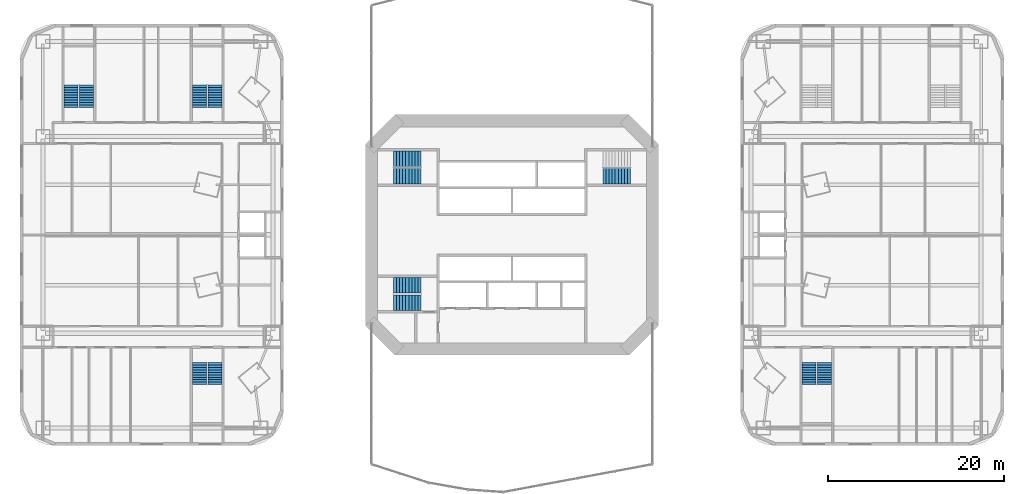
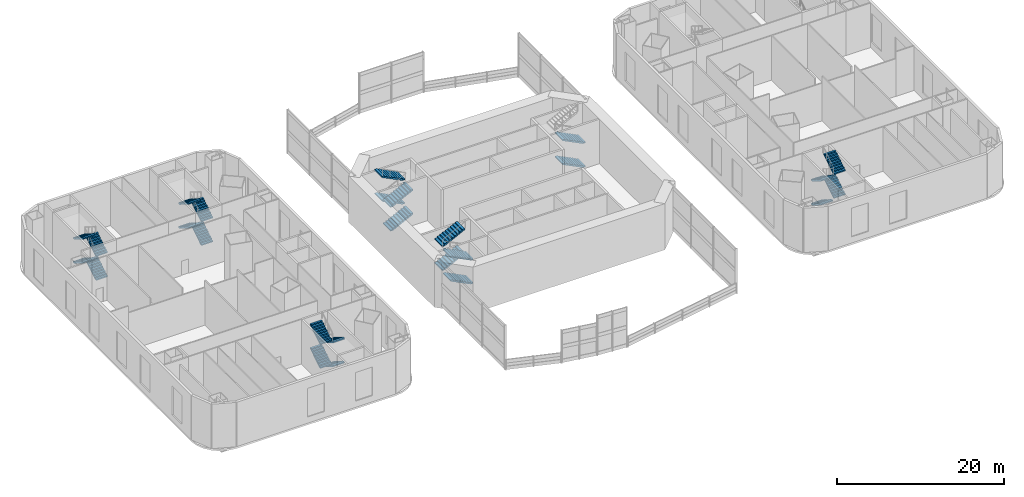
# One storey, part 16 of 19: 26 stair flights, 7 elements without a shape of their own.
"""IFC4 building model written with IfcOpenShell, lengths in metres."""

from ifc_helpers import new_model, si_unit, direction, frame, origin, place, context, subcontext, project, spatial, polyline, outline, extrude, material, type_object, element, aggregate, save


model = new_model("IFC4")

# Units and contexts
model_context = context("Model", 3, precision=1e-05, world=origin(), true_north=direction((0.0, 1.0)))
body_context = subcontext(model_context, "Body", "Model", "MODEL_VIEW")
ifc_project = project(units=[si_unit("LENGTHUNIT", "METRE"), si_unit("AREAUNIT", "SQUARE_METRE"), si_unit("VOLUMEUNIT", "CUBIC_METRE"), si_unit("PLANEANGLEUNIT", "RADIAN"), si_unit("MASSUNIT", "GRAM", prefix="KILO")], contexts=[model_context])

# Site, building, storey
site_placement = place(None, origin())
site = spatial("IfcSite", under=ifc_project, at=site_placement, CompositionType="ELEMENT")
building_placement = place(site_placement, origin())
building = spatial("IfcBuilding", under=site, at=building_placement, Name="Marenthal Gate Tower", CompositionType="ELEMENT")
storey_placement = place(building_placement, frame((0.0, 0.0, 19.0)))
storey = spatial("IfcBuildingStorey", under=building, at=storey_placement, Name="L02", CompositionType="ELEMENT", Elevation=19.0)

# Stair, stair flights
ifc_material_1 = material(Name="Concrete 40 MPa", Category="concrete")
stair_type_1 = type_object("IfcStairType", Name="Exit stair 1600", PredefinedType="HALF_TURN_STAIR", material=ifc_material_1)
stair_1_placement = place(storey_placement, origin())
stair_1 = element("IfcStair", 1, at=stair_1_placement, inside=storey, type_object=stair_type_1, Name="Stair E2", PredefinedType="HALF_TURN_STAIR")
ifc_material_2 = material(Name="Concrete 40 MPa", Category="concrete")
stair_flight_type_1 = type_object("IfcStairFlightType", Name="Stair flight 1600", PredefinedType="STRAIGHT", material=ifc_material_2)
stair_flight_1_placement = place(storey_placement, frame((33.824951171875, -14.52490234375, 0.0), z_axis=(0.0, 0.0, 1.0), x_axis=(0.0, -1.0, 0.0)))
stair_flight_1 = element("IfcStairFlight", 2, at=stair_flight_1_placement, type_object=stair_flight_type_1, Name="E2 flight 1", NumberOfRisers=10, NumberOfTreads=9, PredefinedType="STRAIGHT", RiserHeight=0.175, TreadLength=0.28, context=body_context, shape_type="SweptSolid", body=[
    extrude(outline(polyline([(0.0, 0.0), (0.0, 0.175048828125), (0.280029296875, 0.175048828125), (0.280029296875, 0.35009765625), (0.56005859375, 0.35009765625), (0.56005859375, 0.52490234375), (0.840087890625, 0.52490234375), (0.840087890625, 0.699951171875), (1.1201171875, 0.699951171875), (1.1201171875, 0.875), (1.39990234375, 0.875), (1.39990234375, 1.050048828125), (1.679931640625, 1.050048828125), (1.679931640625, 1.22509765625), (1.9599609375, 1.22509765625), (1.9599609375, 1.39990234375), (2.239990234375, 1.39990234375), (2.239990234375, 1.574951171875), (2.52001953125, 1.574951171875), (2.52001953125, 1.75), (2.52001953125, 1.398193359375), (0.28271484375, 0.0), (0.0, 0.0)])), frame((0.0, 0.800048828125, 0.0), z_axis=(0.0, -1.0, 0.0), x_axis=(1.0, 0.0, 0.0)), (0.0, 0.0, 1.0), 1.60009765625),
])
stair_flight_2_placement = place(storey_placement, frame((35.574951171875, -17.044921875, 1.75), z_axis=(0.0, 0.0, 1.0), x_axis=(0.0, 1.0, 0.0)))
stair_flight_2 = element("IfcStairFlight", 3, at=stair_flight_2_placement, type_object=stair_flight_type_1, Name="E2 flight 2", NumberOfRisers=10, NumberOfTreads=9, PredefinedType="STRAIGHT", RiserHeight=0.175, TreadLength=0.28, context=body_context, shape_type="SweptSolid", body=[
    extrude(outline(polyline([(0.0, 0.0), (0.0, 0.175048828125), (0.280029296875, 0.175048828125), (0.280029296875, 0.35009765625), (0.56005859375, 0.35009765625), (0.56005859375, 0.52490234375), (0.840087890625, 0.52490234375), (0.840087890625, 0.699951171875), (1.1201171875, 0.699951171875), (1.1201171875, 0.875), (1.39990234375, 0.875), (1.39990234375, 1.050048828125), (1.679931640625, 1.050048828125), (1.679931640625, 1.22509765625), (1.9599609375, 1.22509765625), (1.9599609375, 1.39990234375), (2.239990234375, 1.39990234375), (2.239990234375, 1.574951171875), (2.52001953125, 1.574951171875), (2.52001953125, 1.75), (2.52001953125, 1.398193359375), (0.28271484375, 0.0), (0.0, 0.0)])), frame((0.0, 0.800048828125, 0.0), z_axis=(0.0, -1.0, 0.0), x_axis=(1.0, 0.0, 0.0)), (0.0, 0.0, 1.0), 1.60009765625),
])
stair_flight_3_placement = place(storey_placement, frame((33.824951171875, -14.52490234375, 3.5), z_axis=(0.0, 0.0, 1.0), x_axis=(0.0, -1.0, 0.0)))
stair_flight_3 = element("IfcStairFlight", 4, at=stair_flight_3_placement, type_object=stair_flight_type_1, Name="E2 flight 3", NumberOfRisers=10, NumberOfTreads=9, PredefinedType="STRAIGHT", RiserHeight=0.175, TreadLength=0.28, context=body_context, shape_type="SweptSolid", body=[
    extrude(outline(polyline([(0.0, 0.0), (0.0, 0.175048828125), (0.280029296875, 0.175048828125), (0.280029296875, 0.35009765625), (0.56005859375, 0.35009765625), (0.56005859375, 0.52490234375), (0.840087890625, 0.52490234375), (0.840087890625, 0.699951171875), (1.1201171875, 0.699951171875), (1.1201171875, 0.875), (1.39990234375, 0.875), (1.39990234375, 1.050048828125), (1.679931640625, 1.050048828125), (1.679931640625, 1.22509765625), (1.9599609375, 1.22509765625), (1.9599609375, 1.39990234375), (2.239990234375, 1.39990234375), (2.239990234375, 1.574951171875), (2.52001953125, 1.574951171875), (2.52001953125, 1.75), (2.52001953125, 1.398193359375), (0.28271484375, 0.0), (0.0, 0.0)])), frame((0.0, 0.800048828125, 0.0), z_axis=(0.0, -1.0, 0.0), x_axis=(1.0, 0.0, 0.0)), (0.0, 0.0, 1.0), 1.60009765625),
])
stair_flight_4_placement = place(storey_placement, frame((35.574951171875, -17.044921875, 5.25), z_axis=(0.0, 0.0, 1.0), x_axis=(0.0, 1.0, 0.0)))
stair_flight_4 = element("IfcStairFlight", 5, at=stair_flight_4_placement, type_object=stair_flight_type_1, Name="E2 flight 4", NumberOfRisers=10, NumberOfTreads=9, PredefinedType="STRAIGHT", RiserHeight=0.175, TreadLength=0.28, context=body_context, shape_type="SweptSolid", body=[
    extrude(outline(polyline([(0.0, 0.0), (0.0, 0.175048828125), (0.280029296875, 0.175048828125), (0.280029296875, 0.35009765625), (0.56005859375, 0.35009765625), (0.56005859375, 0.52490234375), (0.840087890625, 0.52490234375), (0.840087890625, 0.699951171875), (1.1201171875, 0.699951171875), (1.1201171875, 0.875), (1.39990234375, 0.875), (1.39990234375, 1.050048828125), (1.679931640625, 1.050048828125), (1.679931640625, 1.22509765625), (1.9599609375, 1.22509765625), (1.9599609375, 1.39990234375), (2.239990234375, 1.39990234375), (2.239990234375, 1.574951171875), (2.52001953125, 1.574951171875), (2.52001953125, 1.75), (2.52001953125, 1.398193359375), (0.28271484375, 0.0), (0.0, 0.0)])), frame((0.0, 0.800048828125, 0.0), z_axis=(0.0, -1.0, 0.0), x_axis=(1.0, 0.0, 0.0)), (0.0, 0.0, 1.0), 1.60009765625),
])
aggregate(stair_1, [stair_flight_1, stair_flight_2, stair_flight_3, stair_flight_4])

stair_2_placement = place(storey_placement, origin())
stair_2 = element("IfcStair", 6, at=stair_2_placement, inside=storey, type_object=stair_type_1, Name="Stair W1", PredefinedType="HALF_TURN_STAIR")
stair_flight_5_placement = place(storey_placement, frame((-33.824951171875, 14.52490234375, 0.0), z_axis=(0.0, 0.0, 1.0), x_axis=(0.0, 1.0, 0.0)))
stair_flight_5 = element("IfcStairFlight", 7, at=stair_flight_5_placement, type_object=stair_flight_type_1, Name="W1 flight 1", NumberOfRisers=10, NumberOfTreads=9, PredefinedType="STRAIGHT", RiserHeight=0.175, TreadLength=0.28, context=body_context, shape_type="SweptSolid", body=[
    extrude(outline(polyline([(0.0, 0.0), (0.0, 0.175048828125), (0.280029296875, 0.175048828125), (0.280029296875, 0.35009765625), (0.56005859375, 0.35009765625), (0.56005859375, 0.52490234375), (0.840087890625, 0.52490234375), (0.840087890625, 0.699951171875), (1.1201171875, 0.699951171875), (1.1201171875, 0.875), (1.39990234375, 0.875), (1.39990234375, 1.050048828125), (1.679931640625, 1.050048828125), (1.679931640625, 1.22509765625), (1.9599609375, 1.22509765625), (1.9599609375, 1.39990234375), (2.239990234375, 1.39990234375), (2.239990234375, 1.574951171875), (2.52001953125, 1.574951171875), (2.52001953125, 1.75), (2.52001953125, 1.398193359375), (0.28271484375, 0.0), (0.0, 0.0)])), frame((0.0, 0.800048828125, 0.0), z_axis=(0.0, -1.0, 0.0), x_axis=(1.0, 0.0, 0.0)), (0.0, 0.0, 1.0), 1.60009765625),
])
stair_flight_6_placement = place(storey_placement, frame((-35.574951171875, 17.044921875, 1.75), z_axis=(0.0, 0.0, 1.0), x_axis=(0.0, -1.0, 0.0)))
stair_flight_6 = element("IfcStairFlight", 8, at=stair_flight_6_placement, type_object=stair_flight_type_1, Name="W1 flight 2", NumberOfRisers=10, NumberOfTreads=9, PredefinedType="STRAIGHT", RiserHeight=0.175, TreadLength=0.28, context=body_context, shape_type="SweptSolid", body=[
    extrude(outline(polyline([(0.0, 0.0), (0.0, 0.175048828125), (0.280029296875, 0.175048828125), (0.280029296875, 0.35009765625), (0.56005859375, 0.35009765625), (0.56005859375, 0.52490234375), (0.840087890625, 0.52490234375), (0.840087890625, 0.699951171875), (1.1201171875, 0.699951171875), (1.1201171875, 0.875), (1.39990234375, 0.875), (1.39990234375, 1.050048828125), (1.679931640625, 1.050048828125), (1.679931640625, 1.22509765625), (1.9599609375, 1.22509765625), (1.9599609375, 1.39990234375), (2.239990234375, 1.39990234375), (2.239990234375, 1.574951171875), (2.52001953125, 1.574951171875), (2.52001953125, 1.75), (2.52001953125, 1.398193359375), (0.28271484375, 0.0), (0.0, 0.0)])), frame((0.0, 0.800048828125, 0.0), z_axis=(0.0, -1.0, 0.0), x_axis=(1.0, 0.0, 0.0)), (0.0, 0.0, 1.0), 1.60009765625),
])
stair_flight_7_placement = place(storey_placement, frame((-33.824951171875, 14.52490234375, 3.5), z_axis=(0.0, 0.0, 1.0), x_axis=(0.0, 1.0, 0.0)))
stair_flight_7 = element("IfcStairFlight", 9, at=stair_flight_7_placement, type_object=stair_flight_type_1, Name="W1 flight 3", NumberOfRisers=10, NumberOfTreads=9, PredefinedType="STRAIGHT", RiserHeight=0.175, TreadLength=0.28, context=body_context, shape_type="SweptSolid", body=[
    extrude(outline(polyline([(0.0, 0.0), (0.0, 0.175048828125), (0.280029296875, 0.175048828125), (0.280029296875, 0.35009765625), (0.56005859375, 0.35009765625), (0.56005859375, 0.52490234375), (0.840087890625, 0.52490234375), (0.840087890625, 0.699951171875), (1.1201171875, 0.699951171875), (1.1201171875, 0.875), (1.39990234375, 0.875), (1.39990234375, 1.050048828125), (1.679931640625, 1.050048828125), (1.679931640625, 1.22509765625), (1.9599609375, 1.22509765625), (1.9599609375, 1.39990234375), (2.239990234375, 1.39990234375), (2.239990234375, 1.574951171875), (2.52001953125, 1.574951171875), (2.52001953125, 1.75), (2.52001953125, 1.398193359375), (0.28271484375, 0.0), (0.0, 0.0)])), frame((0.0, 0.800048828125, 0.0), z_axis=(0.0, -1.0, 0.0), x_axis=(1.0, 0.0, 0.0)), (0.0, 0.0, 1.0), 1.60009765625),
])
stair_flight_8_placement = place(storey_placement, frame((-35.574951171875, 17.044921875, 5.25), z_axis=(0.0, 0.0, 1.0), x_axis=(0.0, -1.0, 0.0)))
stair_flight_8 = element("IfcStairFlight", 10, at=stair_flight_8_placement, type_object=stair_flight_type_1, Name="W1 flight 4", NumberOfRisers=10, NumberOfTreads=9, PredefinedType="STRAIGHT", RiserHeight=0.175, TreadLength=0.28, context=body_context, shape_type="SweptSolid", body=[
    extrude(outline(polyline([(0.0, 0.0), (0.0, 0.175048828125), (0.280029296875, 0.175048828125), (0.280029296875, 0.35009765625), (0.56005859375, 0.35009765625), (0.56005859375, 0.52490234375), (0.840087890625, 0.52490234375), (0.840087890625, 0.699951171875), (1.1201171875, 0.699951171875), (1.1201171875, 0.875), (1.39990234375, 0.875), (1.39990234375, 1.050048828125), (1.679931640625, 1.050048828125), (1.679931640625, 1.22509765625), (1.9599609375, 1.22509765625), (1.9599609375, 1.39990234375), (2.239990234375, 1.39990234375), (2.239990234375, 1.574951171875), (2.52001953125, 1.574951171875), (2.52001953125, 1.75), (2.52001953125, 1.398193359375), (0.28271484375, 0.0), (0.0, 0.0)])), frame((0.0, 0.800048828125, 0.0), z_axis=(0.0, -1.0, 0.0), x_axis=(1.0, 0.0, 0.0)), (0.0, 0.0, 1.0), 1.60009765625),
])
aggregate(stair_2, [stair_flight_5, stair_flight_6, stair_flight_7, stair_flight_8])

stair_3_placement = place(storey_placement, origin())
stair_3 = element("IfcStair", 11, at=stair_3_placement, inside=storey, type_object=stair_type_1, Name="Stair W2", PredefinedType="HALF_TURN_STAIR")
stair_flight_9_placement = place(storey_placement, frame((-33.824951171875, -14.52490234375, 0.0), z_axis=(0.0, 0.0, 1.0), x_axis=(0.0, -1.0, 0.0)))
stair_flight_9 = element("IfcStairFlight", 12, at=stair_flight_9_placement, type_object=stair_flight_type_1, Name="W2 flight 1", NumberOfRisers=10, NumberOfTreads=9, PredefinedType="STRAIGHT", RiserHeight=0.175, TreadLength=0.28, context=body_context, shape_type="SweptSolid", body=[
    extrude(outline(polyline([(0.0, 0.0), (0.0, 0.175048828125), (0.280029296875, 0.175048828125), (0.280029296875, 0.35009765625), (0.56005859375, 0.35009765625), (0.56005859375, 0.52490234375), (0.840087890625, 0.52490234375), (0.840087890625, 0.699951171875), (1.1201171875, 0.699951171875), (1.1201171875, 0.875), (1.39990234375, 0.875), (1.39990234375, 1.050048828125), (1.679931640625, 1.050048828125), (1.679931640625, 1.22509765625), (1.9599609375, 1.22509765625), (1.9599609375, 1.39990234375), (2.239990234375, 1.39990234375), (2.239990234375, 1.574951171875), (2.52001953125, 1.574951171875), (2.52001953125, 1.75), (2.52001953125, 1.398193359375), (0.28271484375, 0.0), (0.0, 0.0)])), frame((0.0, 0.800048828125, 0.0), z_axis=(0.0, -1.0, 0.0), x_axis=(1.0, 0.0, 0.0)), (0.0, 0.0, 1.0), 1.60009765625),
])
stair_flight_10_placement = place(storey_placement, frame((-35.574951171875, -17.044921875, 1.75), z_axis=(0.0, 0.0, 1.0), x_axis=(0.0, 1.0, 0.0)))
stair_flight_10 = element("IfcStairFlight", 13, at=stair_flight_10_placement, type_object=stair_flight_type_1, Name="W2 flight 2", NumberOfRisers=10, NumberOfTreads=9, PredefinedType="STRAIGHT", RiserHeight=0.175, TreadLength=0.28, context=body_context, shape_type="SweptSolid", body=[
    extrude(outline(polyline([(0.0, 0.0), (0.0, 0.175048828125), (0.280029296875, 0.175048828125), (0.280029296875, 0.35009765625), (0.56005859375, 0.35009765625), (0.56005859375, 0.52490234375), (0.840087890625, 0.52490234375), (0.840087890625, 0.699951171875), (1.1201171875, 0.699951171875), (1.1201171875, 0.875), (1.39990234375, 0.875), (1.39990234375, 1.050048828125), (1.679931640625, 1.050048828125), (1.679931640625, 1.22509765625), (1.9599609375, 1.22509765625), (1.9599609375, 1.39990234375), (2.239990234375, 1.39990234375), (2.239990234375, 1.574951171875), (2.52001953125, 1.574951171875), (2.52001953125, 1.75), (2.52001953125, 1.398193359375), (0.28271484375, 0.0), (0.0, 0.0)])), frame((0.0, 0.800048828125, 0.0), z_axis=(0.0, -1.0, 0.0), x_axis=(1.0, 0.0, 0.0)), (0.0, 0.0, 1.0), 1.60009765625),
])
stair_flight_11_placement = place(storey_placement, frame((-33.824951171875, -14.52490234375, 3.5), z_axis=(0.0, 0.0, 1.0), x_axis=(0.0, -1.0, 0.0)))
stair_flight_11 = element("IfcStairFlight", 14, at=stair_flight_11_placement, type_object=stair_flight_type_1, Name="W2 flight 3", NumberOfRisers=10, NumberOfTreads=9, PredefinedType="STRAIGHT", RiserHeight=0.175, TreadLength=0.28, context=body_context, shape_type="SweptSolid", body=[
    extrude(outline(polyline([(0.0, 0.0), (0.0, 0.175048828125), (0.280029296875, 0.175048828125), (0.280029296875, 0.35009765625), (0.56005859375, 0.35009765625), (0.56005859375, 0.52490234375), (0.840087890625, 0.52490234375), (0.840087890625, 0.699951171875), (1.1201171875, 0.699951171875), (1.1201171875, 0.875), (1.39990234375, 0.875), (1.39990234375, 1.050048828125), (1.679931640625, 1.050048828125), (1.679931640625, 1.22509765625), (1.9599609375, 1.22509765625), (1.9599609375, 1.39990234375), (2.239990234375, 1.39990234375), (2.239990234375, 1.574951171875), (2.52001953125, 1.574951171875), (2.52001953125, 1.75), (2.52001953125, 1.398193359375), (0.28271484375, 0.0), (0.0, 0.0)])), frame((0.0, 0.800048828125, 0.0), z_axis=(0.0, -1.0, 0.0), x_axis=(1.0, 0.0, 0.0)), (0.0, 0.0, 1.0), 1.60009765625),
])
stair_flight_12_placement = place(storey_placement, frame((-35.574951171875, -17.044921875, 5.25), z_axis=(0.0, 0.0, 1.0), x_axis=(0.0, 1.0, 0.0)))
stair_flight_12 = element("IfcStairFlight", 15, at=stair_flight_12_placement, type_object=stair_flight_type_1, Name="W2 flight 4", NumberOfRisers=10, NumberOfTreads=9, PredefinedType="STRAIGHT", RiserHeight=0.175, TreadLength=0.28, context=body_context, shape_type="SweptSolid", body=[
    extrude(outline(polyline([(0.0, 0.0), (0.0, 0.175048828125), (0.280029296875, 0.175048828125), (0.280029296875, 0.35009765625), (0.56005859375, 0.35009765625), (0.56005859375, 0.52490234375), (0.840087890625, 0.52490234375), (0.840087890625, 0.699951171875), (1.1201171875, 0.699951171875), (1.1201171875, 0.875), (1.39990234375, 0.875), (1.39990234375, 1.050048828125), (1.679931640625, 1.050048828125), (1.679931640625, 1.22509765625), (1.9599609375, 1.22509765625), (1.9599609375, 1.39990234375), (2.239990234375, 1.39990234375), (2.239990234375, 1.574951171875), (2.52001953125, 1.574951171875), (2.52001953125, 1.75), (2.52001953125, 1.398193359375), (0.28271484375, 0.0), (0.0, 0.0)])), frame((0.0, 0.800048828125, 0.0), z_axis=(0.0, -1.0, 0.0), x_axis=(1.0, 0.0, 0.0)), (0.0, 0.0, 1.0), 1.60009765625),
])
aggregate(stair_3, [stair_flight_9, stair_flight_10, stair_flight_11, stair_flight_12])

stair_4_placement = place(storey_placement, origin())
stair_4 = element("IfcStair", 16, at=stair_4_placement, inside=storey, type_object=stair_type_1, Name="Stair W3", PredefinedType="HALF_TURN_STAIR")
stair_flight_13_placement = place(storey_placement, frame((-48.425048828125, 14.52490234375, 0.0), z_axis=(0.0, 0.0, 1.0), x_axis=(0.0, 1.0, 0.0)))
stair_flight_13 = element("IfcStairFlight", 17, at=stair_flight_13_placement, type_object=stair_flight_type_1, Name="W3 flight 1", NumberOfRisers=10, NumberOfTreads=9, PredefinedType="STRAIGHT", RiserHeight=0.175, TreadLength=0.28, context=body_context, shape_type="SweptSolid", body=[
    extrude(outline(polyline([(0.0, 0.0), (0.0, 0.175048828125), (0.280029296875, 0.175048828125), (0.280029296875, 0.35009765625), (0.56005859375, 0.35009765625), (0.56005859375, 0.52490234375), (0.840087890625, 0.52490234375), (0.840087890625, 0.699951171875), (1.1201171875, 0.699951171875), (1.1201171875, 0.875), (1.39990234375, 0.875), (1.39990234375, 1.050048828125), (1.679931640625, 1.050048828125), (1.679931640625, 1.22509765625), (1.9599609375, 1.22509765625), (1.9599609375, 1.39990234375), (2.239990234375, 1.39990234375), (2.239990234375, 1.574951171875), (2.52001953125, 1.574951171875), (2.52001953125, 1.75), (2.52001953125, 1.398193359375), (0.28271484375, 0.0), (0.0, 0.0)])), frame((0.0, 0.800048828125, 0.0), z_axis=(0.0, -1.0, 0.0), x_axis=(1.0, 0.0, 0.0)), (0.0, 0.0, 1.0), 1.60009765625),
])
stair_flight_14_placement = place(storey_placement, frame((-50.175048828125, 17.044921875, 1.75), z_axis=(0.0, 0.0, 1.0), x_axis=(0.0, -1.0, 0.0)))
stair_flight_14 = element("IfcStairFlight", 18, at=stair_flight_14_placement, type_object=stair_flight_type_1, Name="W3 flight 2", NumberOfRisers=10, NumberOfTreads=9, PredefinedType="STRAIGHT", RiserHeight=0.175, TreadLength=0.28, context=body_context, shape_type="SweptSolid", body=[
    extrude(outline(polyline([(0.0, 0.0), (0.0, 0.175048828125), (0.280029296875, 0.175048828125), (0.280029296875, 0.35009765625), (0.56005859375, 0.35009765625), (0.56005859375, 0.52490234375), (0.840087890625, 0.52490234375), (0.840087890625, 0.699951171875), (1.1201171875, 0.699951171875), (1.1201171875, 0.875), (1.39990234375, 0.875), (1.39990234375, 1.050048828125), (1.679931640625, 1.050048828125), (1.679931640625, 1.22509765625), (1.9599609375, 1.22509765625), (1.9599609375, 1.39990234375), (2.239990234375, 1.39990234375), (2.239990234375, 1.574951171875), (2.52001953125, 1.574951171875), (2.52001953125, 1.75), (2.52001953125, 1.398193359375), (0.28271484375, 0.0), (0.0, 0.0)])), frame((0.0, 0.800048828125, 0.0), z_axis=(0.0, -1.0, 0.0), x_axis=(1.0, 0.0, 0.0)), (0.0, 0.0, 1.0), 1.60009765625),
])
stair_flight_15_placement = place(storey_placement, frame((-48.425048828125, 14.52490234375, 3.5), z_axis=(0.0, 0.0, 1.0), x_axis=(0.0, 1.0, 0.0)))
stair_flight_15 = element("IfcStairFlight", 19, at=stair_flight_15_placement, type_object=stair_flight_type_1, Name="W3 flight 3", NumberOfRisers=10, NumberOfTreads=9, PredefinedType="STRAIGHT", RiserHeight=0.175, TreadLength=0.28, context=body_context, shape_type="SweptSolid", body=[
    extrude(outline(polyline([(0.0, 0.0), (0.0, 0.175048828125), (0.280029296875, 0.175048828125), (0.280029296875, 0.35009765625), (0.56005859375, 0.35009765625), (0.56005859375, 0.52490234375), (0.840087890625, 0.52490234375), (0.840087890625, 0.699951171875), (1.1201171875, 0.699951171875), (1.1201171875, 0.875), (1.39990234375, 0.875), (1.39990234375, 1.050048828125), (1.679931640625, 1.050048828125), (1.679931640625, 1.22509765625), (1.9599609375, 1.22509765625), (1.9599609375, 1.39990234375), (2.239990234375, 1.39990234375), (2.239990234375, 1.574951171875), (2.52001953125, 1.574951171875), (2.52001953125, 1.75), (2.52001953125, 1.398193359375), (0.28271484375, 0.0), (0.0, 0.0)])), frame((0.0, 0.800048828125, 0.0), z_axis=(0.0, -1.0, 0.0), x_axis=(1.0, 0.0, 0.0)), (0.0, 0.0, 1.0), 1.60009765625),
])
stair_flight_16_placement = place(storey_placement, frame((-50.175048828125, 17.044921875, 5.25), z_axis=(0.0, 0.0, 1.0), x_axis=(0.0, -1.0, 0.0)))
stair_flight_16 = element("IfcStairFlight", 20, at=stair_flight_16_placement, type_object=stair_flight_type_1, Name="W3 flight 4", NumberOfRisers=10, NumberOfTreads=9, PredefinedType="STRAIGHT", RiserHeight=0.175, TreadLength=0.28, context=body_context, shape_type="SweptSolid", body=[
    extrude(outline(polyline([(0.0, 0.0), (0.0, 0.175048828125), (0.280029296875, 0.175048828125), (0.280029296875, 0.35009765625), (0.56005859375, 0.35009765625), (0.56005859375, 0.52490234375), (0.840087890625, 0.52490234375), (0.840087890625, 0.699951171875), (1.1201171875, 0.699951171875), (1.1201171875, 0.875), (1.39990234375, 0.875), (1.39990234375, 1.050048828125), (1.679931640625, 1.050048828125), (1.679931640625, 1.22509765625), (1.9599609375, 1.22509765625), (1.9599609375, 1.39990234375), (2.239990234375, 1.39990234375), (2.239990234375, 1.574951171875), (2.52001953125, 1.574951171875), (2.52001953125, 1.75), (2.52001953125, 1.398193359375), (0.28271484375, 0.0), (0.0, 0.0)])), frame((0.0, 0.800048828125, 0.0), z_axis=(0.0, -1.0, 0.0), x_axis=(1.0, 0.0, 0.0)), (0.0, 0.0, 1.0), 1.60009765625),
])
aggregate(stair_4, [stair_flight_13, stair_flight_14, stair_flight_15, stair_flight_16])

ifc_material_3 = material(Name="Concrete 40 MPa", Category="concrete")
stair_type_2 = type_object("IfcStairType", Name="Exit stair 1800", PredefinedType="HALF_TURN_STAIR", material=ifc_material_3)
stair_5_placement = place(storey_placement, origin())
stair_5 = element("IfcStair", 21, at=stair_5_placement, inside=storey, type_object=stair_type_2, Name="Stair ST1", PredefinedType="HALF_TURN_STAIR")
ifc_material_4 = material(Name="Concrete 40 MPa", Category="concrete")
stair_flight_type_2 = type_object("IfcStairFlightType", Name="Stair flight 1800", PredefinedType="STRAIGHT", material=ifc_material_4)
stair_flight_17_placement = place(storey_placement, frame((-13.5, 6.675048828125, 0.0), z_axis=(0.0, 0.0, 1.0), x_axis=(1.0, 0.0, 0.0)))
stair_flight_17 = element("IfcStairFlight", 22, at=stair_flight_17_placement, type_object=stair_flight_type_2, Name="ST1 flight 1", NumberOfRisers=10, NumberOfTreads=9, PredefinedType="STRAIGHT", RiserHeight=0.175, TreadLength=0.35, context=body_context, shape_type="SweptSolid", body=[
    extrude(outline(polyline([(0.0, 0.0), (0.0, 0.175048828125), (0.35009765625, 0.175048828125), (0.35009765625, 0.35009765625), (0.699951171875, 0.35009765625), (0.699951171875, 0.52490234375), (1.050048828125, 0.52490234375), (1.050048828125, 0.699951171875), (1.39990234375, 0.699951171875), (1.39990234375, 0.875), (1.75, 0.875), (1.75, 1.050048828125), (2.10009765625, 1.050048828125), (2.10009765625, 1.22509765625), (2.449951171875, 1.22509765625), (2.449951171875, 1.39990234375), (2.800048828125, 1.39990234375), (2.800048828125, 1.574951171875), (3.14990234375, 1.574951171875), (3.14990234375, 1.75), (3.14990234375, 1.407470703125), (0.335205078125, 0.0), (0.0, 0.0)])), frame((0.0, 0.89990234375, 0.0), z_axis=(0.0, -1.0, 0.0), x_axis=(1.0, 0.0, 0.0)), (0.0, 0.0, 1.0), 1.800048828125),
])
stair_flight_18_placement = place(storey_placement, frame((-10.35009765625, 8.675048828125, 1.75), z_axis=(0.0, 0.0, 1.0), x_axis=(-1.0, 0.0, 0.0)))
stair_flight_18 = element("IfcStairFlight", 23, at=stair_flight_18_placement, type_object=stair_flight_type_2, Name="ST1 flight 2", NumberOfRisers=10, NumberOfTreads=9, PredefinedType="STRAIGHT", RiserHeight=0.175, TreadLength=0.35, context=body_context, shape_type="SweptSolid", body=[
    extrude(outline(polyline([(0.0, 0.0), (0.0, 0.175048828125), (0.35009765625, 0.175048828125), (0.35009765625, 0.35009765625), (0.699951171875, 0.35009765625), (0.699951171875, 0.52490234375), (1.050048828125, 0.52490234375), (1.050048828125, 0.699951171875), (1.39990234375, 0.699951171875), (1.39990234375, 0.875), (1.75, 0.875), (1.75, 1.050048828125), (2.10009765625, 1.050048828125), (2.10009765625, 1.22509765625), (2.449951171875, 1.22509765625), (2.449951171875, 1.39990234375), (2.800048828125, 1.39990234375), (2.800048828125, 1.574951171875), (3.14990234375, 1.574951171875), (3.14990234375, 1.75), (3.14990234375, 1.407470703125), (0.335205078125, 0.0), (0.0, 0.0)])), frame((0.0, 0.89990234375, 0.0), z_axis=(0.0, -1.0, 0.0), x_axis=(1.0, 0.0, 0.0)), (0.0, 0.0, 1.0), 1.800048828125),
])
stair_flight_19_placement = place(storey_placement, frame((-13.5, 6.675048828125, 3.5), z_axis=(0.0, 0.0, 1.0), x_axis=(1.0, 0.0, 0.0)))
stair_flight_19 = element("IfcStairFlight", 24, at=stair_flight_19_placement, type_object=stair_flight_type_2, Name="ST1 flight 3", NumberOfRisers=10, NumberOfTreads=9, PredefinedType="STRAIGHT", RiserHeight=0.175, TreadLength=0.35, context=body_context, shape_type="SweptSolid", body=[
    extrude(outline(polyline([(0.0, 0.0), (0.0, 0.175048828125), (0.35009765625, 0.175048828125), (0.35009765625, 0.35009765625), (0.699951171875, 0.35009765625), (0.699951171875, 0.52490234375), (1.050048828125, 0.52490234375), (1.050048828125, 0.699951171875), (1.39990234375, 0.699951171875), (1.39990234375, 0.875), (1.75, 0.875), (1.75, 1.050048828125), (2.10009765625, 1.050048828125), (2.10009765625, 1.22509765625), (2.449951171875, 1.22509765625), (2.449951171875, 1.39990234375), (2.800048828125, 1.39990234375), (2.800048828125, 1.574951171875), (3.14990234375, 1.574951171875), (3.14990234375, 1.75), (3.14990234375, 1.407470703125), (0.335205078125, 0.0), (0.0, 0.0)])), frame((0.0, 0.89990234375, 0.0), z_axis=(0.0, -1.0, 0.0), x_axis=(1.0, 0.0, 0.0)), (0.0, 0.0, 1.0), 1.800048828125),
])
stair_flight_20_placement = place(storey_placement, frame((-10.35009765625, 8.675048828125, 5.25), z_axis=(0.0, 0.0, 1.0), x_axis=(-1.0, 0.0, 0.0)))
stair_flight_20 = element("IfcStairFlight", 25, at=stair_flight_20_placement, type_object=stair_flight_type_2, Name="ST1 flight 4", NumberOfRisers=10, NumberOfTreads=9, PredefinedType="STRAIGHT", RiserHeight=0.175, TreadLength=0.35, context=body_context, shape_type="SweptSolid", body=[
    extrude(outline(polyline([(0.0, 0.0), (0.0, 0.175048828125), (0.35009765625, 0.175048828125), (0.35009765625, 0.35009765625), (0.699951171875, 0.35009765625), (0.699951171875, 0.52490234375), (1.050048828125, 0.52490234375), (1.050048828125, 0.699951171875), (1.39990234375, 0.699951171875), (1.39990234375, 0.875), (1.75, 0.875), (1.75, 1.050048828125), (2.10009765625, 1.050048828125), (2.10009765625, 1.22509765625), (2.449951171875, 1.22509765625), (2.449951171875, 1.39990234375), (2.800048828125, 1.39990234375), (2.800048828125, 1.574951171875), (3.14990234375, 1.574951171875), (3.14990234375, 1.75), (3.14990234375, 1.407470703125), (0.335205078125, 0.0), (0.0, 0.0)])), frame((0.0, 0.89990234375, 0.0), z_axis=(0.0, -1.0, 0.0), x_axis=(1.0, 0.0, 0.0)), (0.0, 0.0, 1.0), 1.800048828125),
])
aggregate(stair_5, [stair_flight_17, stair_flight_18, stair_flight_19, stair_flight_20])

stair_6_placement = place(storey_placement, origin())
stair_6 = element("IfcStair", 26, at=stair_6_placement, inside=storey, type_object=stair_type_2, Name="Stair ST2", PredefinedType="HALF_TURN_STAIR")
stair_flight_21_placement = place(storey_placement, frame((-10.35009765625, -7.72509765625, 0.0), z_axis=(0.0, 0.0, 1.0), x_axis=(-1.0, 0.0, 0.0)))
stair_flight_21 = element("IfcStairFlight", 27, at=stair_flight_21_placement, type_object=stair_flight_type_2, Name="ST2 flight 1", NumberOfRisers=10, NumberOfTreads=9, PredefinedType="STRAIGHT", RiserHeight=0.175, TreadLength=0.35, context=body_context, shape_type="SweptSolid", body=[
    extrude(outline(polyline([(0.0, 0.0), (0.0, 0.175048828125), (0.35009765625, 0.175048828125), (0.35009765625, 0.35009765625), (0.699951171875, 0.35009765625), (0.699951171875, 0.52490234375), (1.050048828125, 0.52490234375), (1.050048828125, 0.699951171875), (1.39990234375, 0.699951171875), (1.39990234375, 0.875), (1.75, 0.875), (1.75, 1.050048828125), (2.10009765625, 1.050048828125), (2.10009765625, 1.22509765625), (2.449951171875, 1.22509765625), (2.449951171875, 1.39990234375), (2.800048828125, 1.39990234375), (2.800048828125, 1.574951171875), (3.14990234375, 1.574951171875), (3.14990234375, 1.75), (3.14990234375, 1.407470703125), (0.335205078125, 0.0), (0.0, 0.0)])), frame((0.0, 0.89990234375, 0.0), z_axis=(0.0, -1.0, 0.0), x_axis=(1.0, 0.0, 0.0)), (0.0, 0.0, 1.0), 1.800048828125),
])
stair_flight_22_placement = place(storey_placement, frame((-13.5, -5.72509765625, 1.75), z_axis=(0.0, 0.0, 1.0), x_axis=(1.0, 0.0, 0.0)))
stair_flight_22 = element("IfcStairFlight", 28, at=stair_flight_22_placement, type_object=stair_flight_type_2, Name="ST2 flight 2", NumberOfRisers=10, NumberOfTreads=9, PredefinedType="STRAIGHT", RiserHeight=0.175, TreadLength=0.35, context=body_context, shape_type="SweptSolid", body=[
    extrude(outline(polyline([(0.0, 0.0), (0.0, 0.175048828125), (0.35009765625, 0.175048828125), (0.35009765625, 0.35009765625), (0.699951171875, 0.35009765625), (0.699951171875, 0.52490234375), (1.050048828125, 0.52490234375), (1.050048828125, 0.699951171875), (1.39990234375, 0.699951171875), (1.39990234375, 0.875), (1.75, 0.875), (1.75, 1.050048828125), (2.10009765625, 1.050048828125), (2.10009765625, 1.22509765625), (2.449951171875, 1.22509765625), (2.449951171875, 1.39990234375), (2.800048828125, 1.39990234375), (2.800048828125, 1.574951171875), (3.14990234375, 1.574951171875), (3.14990234375, 1.75), (3.14990234375, 1.407470703125), (0.335205078125, 0.0), (0.0, 0.0)])), frame((0.0, 0.89990234375, 0.0), z_axis=(0.0, -1.0, 0.0), x_axis=(1.0, 0.0, 0.0)), (0.0, 0.0, 1.0), 1.800048828125),
])
stair_flight_23_placement = place(storey_placement, frame((-10.35009765625, -7.72509765625, 3.5), z_axis=(0.0, 0.0, 1.0), x_axis=(-1.0, 0.0, 0.0)))
stair_flight_23 = element("IfcStairFlight", 29, at=stair_flight_23_placement, type_object=stair_flight_type_2, Name="ST2 flight 3", NumberOfRisers=10, NumberOfTreads=9, PredefinedType="STRAIGHT", RiserHeight=0.175, TreadLength=0.35, context=body_context, shape_type="SweptSolid", body=[
    extrude(outline(polyline([(0.0, 0.0), (0.0, 0.175048828125), (0.35009765625, 0.175048828125), (0.35009765625, 0.35009765625), (0.699951171875, 0.35009765625), (0.699951171875, 0.52490234375), (1.050048828125, 0.52490234375), (1.050048828125, 0.699951171875), (1.39990234375, 0.699951171875), (1.39990234375, 0.875), (1.75, 0.875), (1.75, 1.050048828125), (2.10009765625, 1.050048828125), (2.10009765625, 1.22509765625), (2.449951171875, 1.22509765625), (2.449951171875, 1.39990234375), (2.800048828125, 1.39990234375), (2.800048828125, 1.574951171875), (3.14990234375, 1.574951171875), (3.14990234375, 1.75), (3.14990234375, 1.407470703125), (0.335205078125, 0.0), (0.0, 0.0)])), frame((0.0, 0.89990234375, 0.0), z_axis=(0.0, -1.0, 0.0), x_axis=(1.0, 0.0, 0.0)), (0.0, 0.0, 1.0), 1.800048828125),
])
stair_flight_24_placement = place(storey_placement, frame((-13.5, -5.72509765625, 5.25), z_axis=(0.0, 0.0, 1.0), x_axis=(1.0, 0.0, 0.0)))
stair_flight_24 = element("IfcStairFlight", 30, at=stair_flight_24_placement, type_object=stair_flight_type_2, Name="ST2 flight 4", NumberOfRisers=10, NumberOfTreads=9, PredefinedType="STRAIGHT", RiserHeight=0.175, TreadLength=0.35, context=body_context, shape_type="SweptSolid", body=[
    extrude(outline(polyline([(0.0, 0.0), (0.0, 0.175048828125), (0.35009765625, 0.175048828125), (0.35009765625, 0.35009765625), (0.699951171875, 0.35009765625), (0.699951171875, 0.52490234375), (1.050048828125, 0.52490234375), (1.050048828125, 0.699951171875), (1.39990234375, 0.699951171875), (1.39990234375, 0.875), (1.75, 0.875), (1.75, 1.050048828125), (2.10009765625, 1.050048828125), (2.10009765625, 1.22509765625), (2.449951171875, 1.22509765625), (2.449951171875, 1.39990234375), (2.800048828125, 1.39990234375), (2.800048828125, 1.574951171875), (3.14990234375, 1.574951171875), (3.14990234375, 1.75), (3.14990234375, 1.407470703125), (0.335205078125, 0.0), (0.0, 0.0)])), frame((0.0, 0.89990234375, 0.0), z_axis=(0.0, -1.0, 0.0), x_axis=(1.0, 0.0, 0.0)), (0.0, 0.0, 1.0), 1.800048828125),
])
aggregate(stair_6, [stair_flight_21, stair_flight_22, stair_flight_23, stair_flight_24])

stair_7_placement = place(storey_placement, origin())
stair_7 = element("IfcStair", 31, at=stair_7_placement, inside=storey, type_object=stair_type_2, Name="Stair ST3", PredefinedType="HALF_TURN_STAIR")
stair_flight_25_placement = place(storey_placement, frame((13.5, 6.675048828125, 0.0), z_axis=(0.0, 0.0, 1.0), x_axis=(-1.0, 0.0, 0.0)))
stair_flight_25 = element("IfcStairFlight", 32, at=stair_flight_25_placement, type_object=stair_flight_type_2, Name="ST3 flight 1", NumberOfRisers=10, NumberOfTreads=9, PredefinedType="STRAIGHT", RiserHeight=0.175, TreadLength=0.35, context=body_context, shape_type="SweptSolid", body=[
    extrude(outline(polyline([(0.0, 0.0), (0.0, 0.175048828125), (0.35009765625, 0.175048828125), (0.35009765625, 0.35009765625), (0.699951171875, 0.35009765625), (0.699951171875, 0.52490234375), (1.050048828125, 0.52490234375), (1.050048828125, 0.699951171875), (1.39990234375, 0.699951171875), (1.39990234375, 0.875), (1.75, 0.875), (1.75, 1.050048828125), (2.10009765625, 1.050048828125), (2.10009765625, 1.22509765625), (2.449951171875, 1.22509765625), (2.449951171875, 1.39990234375), (2.800048828125, 1.39990234375), (2.800048828125, 1.574951171875), (3.14990234375, 1.574951171875), (3.14990234375, 1.75), (3.14990234375, 1.407470703125), (0.335205078125, 0.0), (0.0, 0.0)])), frame((0.0, 0.89990234375, 0.0), z_axis=(0.0, -1.0, 0.0), x_axis=(1.0, 0.0, 0.0)), (0.0, 0.0, 1.0), 1.800048828125),
])
stair_flight_26_placement = place(storey_placement, frame((13.5, 6.675048828125, 3.5), z_axis=(0.0, 0.0, 1.0), x_axis=(-1.0, 0.0, 0.0)))
stair_flight_26 = element("IfcStairFlight", 33, at=stair_flight_26_placement, type_object=stair_flight_type_2, Name="ST3 flight 3", NumberOfRisers=10, NumberOfTreads=9, PredefinedType="STRAIGHT", RiserHeight=0.175, TreadLength=0.35, context=body_context, shape_type="SweptSolid", body=[
    extrude(outline(polyline([(0.0, 0.0), (0.0, 0.175048828125), (0.35009765625, 0.175048828125), (0.35009765625, 0.35009765625), (0.699951171875, 0.35009765625), (0.699951171875, 0.52490234375), (1.050048828125, 0.52490234375), (1.050048828125, 0.699951171875), (1.39990234375, 0.699951171875), (1.39990234375, 0.875), (1.75, 0.875), (1.75, 1.050048828125), (2.10009765625, 1.050048828125), (2.10009765625, 1.22509765625), (2.449951171875, 1.22509765625), (2.449951171875, 1.39990234375), (2.800048828125, 1.39990234375), (2.800048828125, 1.574951171875), (3.14990234375, 1.574951171875), (3.14990234375, 1.75), (3.14990234375, 1.407470703125), (0.335205078125, 0.0), (0.0, 0.0)])), frame((0.0, 0.89990234375, 0.0), z_axis=(0.0, -1.0, 0.0), x_axis=(1.0, 0.0, 0.0)), (0.0, 0.0, 1.0), 1.800048828125),
])
aggregate(stair_7, [stair_flight_25, stair_flight_26])

save(model, "model.ifc")
